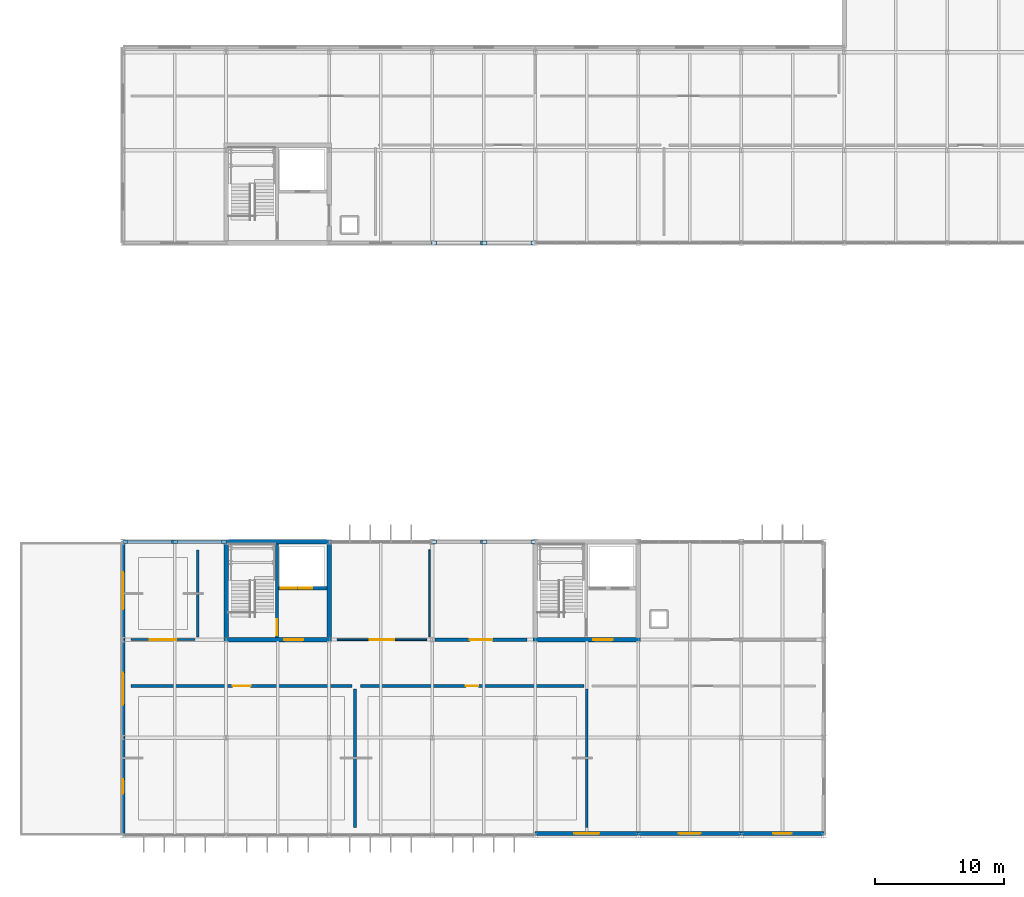
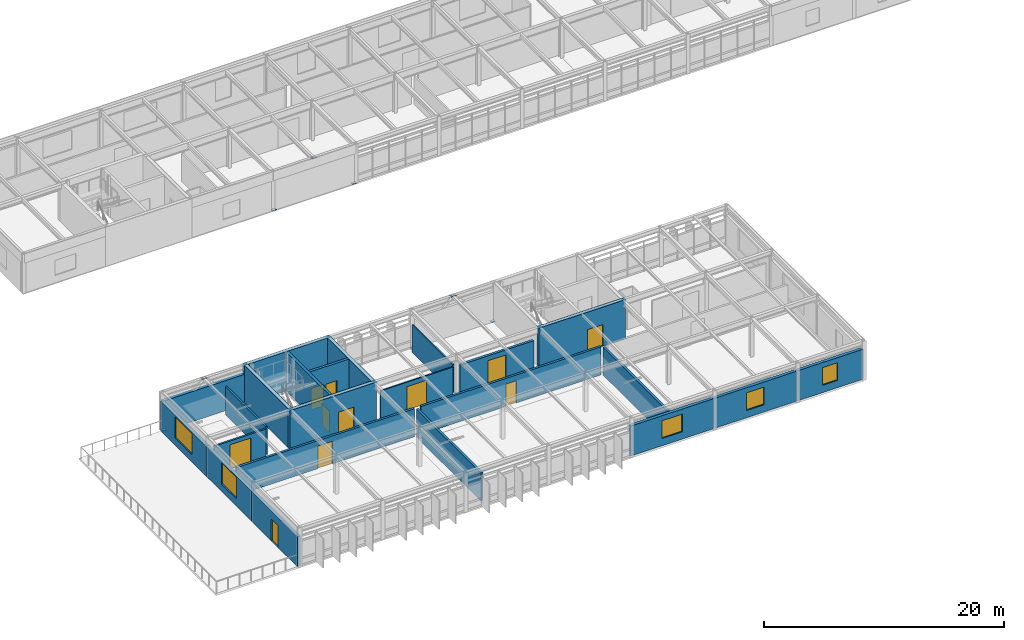
# One storey, part 31 of 45: 23 walls, 12 plates, 11 doors, 5 windows, 16 openings.
"""IFC4 building model written with IfcOpenShell, lengths in metres."""

from ifc_helpers import new_model, si_unit, direction, frame, frame_2d, origin, origin_2d, place, context, subcontext, project, spatial, rectangle, extrude, material, layer, layer_set, type_object, element, fill, save


model = new_model("IFC4")

# Units and contexts
model_context = context("Model", 3, precision=1e-05, world=origin(), true_north=direction((0.0, 1.0)))
body_context = subcontext(model_context, "Body", "Model", "MODEL_VIEW")
ifc_project = project(units=[si_unit("LENGTHUNIT", "METRE"), si_unit("AREAUNIT", "SQUARE_METRE"), si_unit("VOLUMEUNIT", "CUBIC_METRE"), si_unit("PLANEANGLEUNIT", "RADIAN"), si_unit("MASSUNIT", "GRAM", prefix="KILO")], contexts=[model_context])

# Site, building, storey
site_placement = place(None, origin())
site = spatial("IfcSite", under=ifc_project, at=site_placement, CompositionType="ELEMENT")
building_placement = place(site_placement, origin())
building = spatial("IfcBuilding", under=site, at=building_placement, Name="Zulena Civic Courthouse", CompositionType="ELEMENT")
storey_placement = place(building_placement, frame((0.0, 0.0, 29.39990234375)))
storey = spatial("IfcBuildingStorey", under=building, at=storey_placement, Name="L06", CompositionType="ELEMENT", Elevation=29.39990234375)

# Plates
ifc_material_1 = material(Name="Steel ASTM A572 Grade 50", Category="steel")
ifc_layer_1 = layer(ifc_material_1, 0.02197265625)
ifc_layer_set_1 = layer_set([ifc_layer_1], Name="Steel ASTM A572 Grade 50")
plate_type = type_object("IfcPlateType", Name="GussetPlate_380x280x22", PredefinedType="SHEET", material=ifc_layer_set_1)
for number, where, z_axis, x_axis, name in (
    (1, (12.14990234375, 22.800048828125, -0.0009765625), (0.0, 0.0, 1.0), (1.0, 0.0, 0.0), "plate:br:V2:L06:0:0:0"),
    (2, (15.949951171875, 22.800048828125, 3.94921875), (0.0, 0.0, 1.0), (1.0, 0.0, 0.0), "plate:br:V2:L06:0:0:1"),
    (3, (19.85009765625, 22.800048828125, -0.0009765625), (0.0, 0.0, 1.0), (1.0, 0.0, 0.0), "plate:br:V2:L06:0:1:0"),
    (4, (16.050048828125, 22.800048828125, 3.94921875), (0.0, 0.0, 1.0), (1.0, 0.0, 0.0), "plate:br:V2:L06:0:1:1"),
    (5, (36.14990234375, 22.800048828125, -0.0009765625), (0.0, 0.0, 1.0), (1.0, 0.0, 0.0), "plate:br:V2:L06:1:0:0"),
    (6, (39.949951171875, 22.800048828125, 3.94921875), (0.0, 0.0, 1.0), (1.0, 0.0, 0.0), "plate:br:V2:L06:1:0:1"),
    (7, (43.85009765625, 22.800048828125, -0.0009765625), (0.0, 0.0, 1.0), (1.0, 0.0, 0.0), "plate:br:V2:L06:1:1:0"),
    (8, (40.050048828125, 22.800048828125, 3.94921875), (0.0, 0.0, 1.0), (1.0, 0.0, 0.0), "plate:br:V2:L06:1:1:1"),
    (9, (36.14990234375, 46.0, -0.0009765625), (0.0, 0.0, 1.0), (1.0, 0.0, 0.0), "plate:br:V5:L06:5:0:0"),
    (10, (39.949951171875, 46.0, 3.94921875), (0.0, 0.0, 1.0), (1.0, 0.0, 0.0), "plate:br:V5:L06:5:0:1"),
    (11, (43.85009765625, 46.0, -0.0009765625), (0.0, 0.0, 1.0), (1.0, 0.0, 0.0), "plate:br:V5:L06:5:1:0"),
    (12, (40.050048828125, 46.0, 3.94921875), (0.0, 0.0, 1.0), (1.0, 0.0, 0.0), "plate:br:V5:L06:5:1:1"),
):
    element("IfcPlate", number, at=place(storey_placement, frame(where, z_axis=z_axis, x_axis=x_axis)), inside=storey, type_object=plate_type, Name=name, PredefinedType="SHEET", context=body_context, shape_type="SweptSolid", body=[
        extrude(rectangle(XDim=0.3798828125, YDim=0.280029296875, at=origin_2d()), origin(), (0.0, 0.0, 1.0), 0.02197265625),
    ])

# Wall, opening, door
ifc_material_2 = material(Name="Concrete C40/50", Category="concrete")
ifc_layer_2 = layer(ifc_material_2, 0.25)
ifc_layer_set_2 = layer_set([ifc_layer_2], Name="Concrete C40/50")
wall_type_1 = type_object("IfcWallType", Name="CoreShearWall_RC250", PredefinedType="SHEAR", material=ifc_layer_set_2)
wall_1_placement = place(storey_placement, frame((23.949951171875, 15.375, 0.0), z_axis=(0.0, 0.0, 1.0), x_axis=(0.0, 1.0, 0.0)))
wall_1 = element("IfcWall", 13, at=wall_1_placement, inside=storey, type_object=wall_type_1, Name="cwall:K2A:L06:DIV", PredefinedType="SHEAR", context=body_context, shape_type="SweptSolid", body=[
    extrude(rectangle(XDim=7.25, YDim=0.25, at=frame_2d((3.625, 0.0))), origin(), (0.0, 0.0, 1.0), 3.989990234375),
])
opening_1_placement = place(wall_1_placement, frame((0.179931640625, 0.0, 0.0)))
opening_1 = element("IfcOpeningElement", 14, at=opening_1_placement, cuts=wall_1, Name="Opening ID06", PredefinedType="OPENING", context=body_context, shape_type="SweptSolid", body=[
    extrude(rectangle(XDim=1.25, YDim=2.199951171875, at=frame_2d((0.625, 1.10009765625))), frame((0.0, 0.135009765625, 0.0), z_axis=(0.0, -1.0, 0.0), x_axis=(1.0, 0.0, 0.0)), (0.0, 0.0, 1.0), 0.27001953125),
])
ifc_material_3 = material(Name="Fire-rated galvanised steel ASTM A653 Grade 50", Category="steel")
door_type_1 = type_object("IfcDoorType", Name="IntDoor_Stair_1250x2200", OperationType="NOTDEFINED", PredefinedType="DOOR", material=ifc_material_3)
door_1_placement = place(opening_1_placement, origin())
door_1 = element("IfcDoor", 15, at=door_1_placement, inside=storey, type_object=door_type_1, Name="door:stair:K2A:L06", OperationType="SINGLE_SWING_LEFT", OverallHeight=2.199951171875, OverallWidth=1.25, PredefinedType="DOOR", context=body_context, shape_type="SweptSolid", body=[
    extrude(rectangle(XDim=1.25, YDim=2.199951171875, at=frame_2d((0.625, 1.10009765625))), frame((0.0, 0.02490234375, 0.0), z_axis=(0.0, -1.0, 0.0), x_axis=(1.0, 0.0, 0.0)), (0.0, 0.0, 1.0), 0.050048828125),
])
fill(opening_1, door_1)

# Wall, openings, doors
wall_2_placement = place(storey_placement, frame((24.074951171875, 19.199951171875, 0.0), z_axis=(0.0, 0.0, 1.0), x_axis=(1.0, 0.0, 0.0)))
wall_2 = element("IfcWall", 16, at=wall_2_placement, inside=storey, type_object=wall_type_1, Name="cwall:K2A:L06:SHF", PredefinedType="SHEAR", context=body_context, shape_type="SweptSolid", body=[
    extrude(rectangle(XDim=3.75, YDim=0.25, at=frame_2d((1.875, 0.0))), origin(), (0.0, 0.0, 1.0), 3.989990234375),
])
opening_2_placement = place(wall_2_placement, frame((0.179931640625, 0.0, 0.0)))
opening_2 = element("IfcOpeningElement", 17, at=opening_2_placement, cuts=wall_2, Name="Opening LD01", PredefinedType="OPENING", context=body_context, shape_type="SweptSolid", body=[
    extrude(rectangle(XDim=1.199951171875, YDim=2.199951171875, at=frame_2d((0.60009765625, 1.10009765625))), frame((0.0, 0.135009765625, 0.0), z_axis=(0.0, -1.0, 0.0), x_axis=(1.0, 0.0, 0.0)), (0.0, 0.0, 1.0), 0.27001953125),
])
opening_3_placement = place(wall_2_placement, frame((1.550048828125, 0.0, 0.0)))
opening_3 = element("IfcOpeningElement", 18, at=opening_3_placement, cuts=wall_2, Name="Opening LD03", PredefinedType="OPENING", context=body_context, shape_type="SweptSolid", body=[
    extrude(rectangle(XDim=1.050048828125, YDim=2.199951171875, at=frame_2d((0.52490234375, 1.10009765625))), frame((0.0, 0.135009765625, 0.0), z_axis=(0.0, -1.0, 0.0), x_axis=(1.0, 0.0, 0.0)), (0.0, 0.0, 1.0), 0.27001953125),
])
door_type_2 = type_object("IfcDoorType", Name="LiftLandingDoor_FF_1200x2200", OperationType="SLIDING_TO_LEFT", PredefinedType="DOOR", material=ifc_material_3)
door_2_placement = place(opening_2_placement, origin())
door_2 = element("IfcDoor", 19, at=door_2_placement, inside=storey, type_object=door_type_2, Name="door:ld:FL-01:L06", OperationType="SLIDING_TO_LEFT", OverallHeight=2.199951171875, OverallWidth=1.199951171875, PredefinedType="DOOR", context=body_context, shape_type="SweptSolid", body=[
    extrude(rectangle(XDim=1.199951171875, YDim=2.199951171875, at=frame_2d((0.60009765625, 1.10009765625))), frame((0.0, 0.02490234375, 0.0), z_axis=(0.0, -1.0, 0.0), x_axis=(1.0, 0.0, 0.0)), (0.0, 0.0, 1.0), 0.050048828125),
])
fill(opening_2, door_2)
door_type_3 = type_object("IfcDoorType", Name="LiftLandingDoor_Jud_1050x2200", OperationType="SLIDING_TO_RIGHT", PredefinedType="DOOR", material=ifc_material_3)
door_3_placement = place(opening_3_placement, origin())
door_3 = element("IfcDoor", 20, at=door_3_placement, inside=storey, type_object=door_type_3, Name="door:ld:JL-01:L06", OperationType="SLIDING_TO_RIGHT", OverallHeight=2.199951171875, OverallWidth=1.050048828125, PredefinedType="DOOR", context=body_context, shape_type="SweptSolid", body=[
    extrude(rectangle(XDim=1.050048828125, YDim=2.199951171875, at=frame_2d((0.52490234375, 1.10009765625))), frame((0.0, 0.02490234375, 0.0), z_axis=(0.0, -1.0, 0.0), x_axis=(1.0, 0.0, 0.0)), (0.0, 0.0, 1.0), 0.050048828125),
])
fill(opening_3, door_3)

# Wall, opening, door
ifc_layer_3 = layer(ifc_material_2, 0.35009765625)
ifc_layer_set_3 = layer_set([ifc_layer_3], Name="Concrete C40/50")
wall_type_2 = type_object("IfcWallType", Name="CoreShearWall_RC350", PredefinedType="SHEAR", material=ifc_layer_set_3)
wall_3_placement = place(storey_placement, frame((19.824951171875, 15.199951171875, 0.0), z_axis=(0.0, 0.0, 1.0), x_axis=(1.0, 0.0, 0.0)))
wall_3 = element("IfcWall", 21, at=wall_3_placement, inside=storey, type_object=wall_type_2, Name="cwall:K2A:L06:S", PredefinedType="SHEAR", context=body_context, shape_type="SweptSolid", body=[
    extrude(rectangle(XDim=8.35009765625, YDim=0.35009765625, at=frame_2d((4.175048828125, 0.0))), origin(), (0.0, 0.0, 1.0), 3.989990234375),
])
opening_4_placement = place(wall_3_placement, frame((4.68505859375, 0.0, 0.0)))
opening_4 = element("IfcOpeningElement", 22, at=opening_4_placement, cuts=wall_3, Name="Opening ID05", PredefinedType="OPENING", context=body_context, shape_type="SweptSolid", body=[
    extrude(rectangle(XDim=1.5, YDim=2.199951171875, at=frame_2d((0.75, 1.10009765625))), frame((0.0, 0.18505859375, 0.0), z_axis=(0.0, -1.0, 0.0), x_axis=(1.0, 0.0, 0.0)), (0.0, 0.0, 1.0), 0.3701171875),
])
door_type_4 = type_object("IfcDoorType", Name="IntDoor_FFLobby_1500x2200", OperationType="DOUBLE_DOOR_SINGLE_SWING", PredefinedType="DOOR", material=ifc_material_3)
door_4_placement = place(opening_4_placement, origin())
door_4 = element("IfcDoor", 23, at=door_4_placement, inside=storey, type_object=door_type_4, Name="door:corelob:K2A:L06", OperationType="DOUBLE_DOOR_SINGLE_SWING", OverallHeight=2.199951171875, OverallWidth=1.5, PredefinedType="DOOR", context=body_context, shape_type="SweptSolid", body=[
    extrude(rectangle(XDim=1.5, YDim=2.199951171875, at=frame_2d((0.75, 1.10009765625))), frame((0.0, 0.02490234375, 0.0), z_axis=(0.0, -1.0, 0.0), x_axis=(1.0, 0.0, 0.0)), (0.0, 0.0, 1.0), 0.050048828125),
])
fill(opening_4, door_4)

# Walls
wall_4_placement = place(storey_placement, frame((19.824951171875, 22.800048828125, 0.0), z_axis=(0.0, 0.0, 1.0), x_axis=(1.0, 0.0, 0.0)))
element("IfcWall", 24, at=wall_4_placement, inside=storey, type_object=wall_type_2, Name="cwall:K2A:L06:N", PredefinedType="SHEAR", context=body_context, shape_type="SweptSolid", body=[
    extrude(rectangle(XDim=8.35009765625, YDim=0.35009765625, at=frame_2d((4.175048828125, 0.0))), origin(), (0.0, 0.0, 1.0), 3.989990234375),
])
for number, where, z_axis, x_axis, name in (
    (25, (20.0, 15.375, 0.0), (0.0, 0.0, 1.0), (0.0, 1.0, 0.0), "cwall:K2A:L06:W"),
    (26, (28.0, 15.375, 0.0), (0.0, 0.0, 1.0), (0.0, 1.0, 0.0), "cwall:K2A:L06:E"),
):
    element("IfcWall", number, at=place(storey_placement, frame(where, z_axis=z_axis, x_axis=x_axis)), inside=storey, type_object=wall_type_2, Name=name, PredefinedType="SHEAR", context=body_context, shape_type="SweptSolid", body=[
        extrude(rectangle(XDim=7.25, YDim=0.35009765625, at=frame_2d((3.625, 0.0))), origin(), (0.0, 0.0, 1.0), 3.989990234375),
    ])

# Wall, opening, door
wall_5_placement = place(storey_placement, frame((43.824951171875, 15.199951171875, 0.0), z_axis=(0.0, 0.0, 1.0), x_axis=(1.0, 0.0, 0.0)))
wall_5 = element("IfcWall", 27, at=wall_5_placement, inside=storey, type_object=wall_type_2, Name="cwall:K2B:L06:S", PredefinedType="SHEAR", context=body_context, shape_type="SweptSolid", body=[
    extrude(rectangle(XDim=8.35009765625, YDim=0.35009765625, at=frame_2d((4.175048828125, 0.0))), origin(), (0.0, 0.0, 1.0), 3.989990234375),
])
opening_5_placement = place(wall_5_placement, frame((4.68505859375, 0.0, 0.0)))
opening_5 = element("IfcOpeningElement", 28, at=opening_5_placement, cuts=wall_5, Name="Opening ID05", PredefinedType="OPENING", context=body_context, shape_type="SweptSolid", body=[
    extrude(rectangle(XDim=1.5, YDim=2.199951171875, at=frame_2d((0.75, 1.10009765625))), frame((0.0, 0.18505859375, 0.0), z_axis=(0.0, -1.0, 0.0), x_axis=(1.0, 0.0, 0.0)), (0.0, 0.0, 1.0), 0.3701171875),
])
door_5_placement = place(opening_5_placement, origin())
door_5 = element("IfcDoor", 29, at=door_5_placement, inside=storey, type_object=door_type_4, Name="door:corelob:K2B:L06", OperationType="DOUBLE_DOOR_SINGLE_SWING", OverallHeight=2.199951171875, OverallWidth=1.5, PredefinedType="DOOR", context=body_context, shape_type="SweptSolid", body=[
    extrude(rectangle(XDim=1.5, YDim=2.199951171875, at=frame_2d((0.75, 1.10009765625))), frame((0.0, 0.02490234375, 0.0), z_axis=(0.0, -1.0, 0.0), x_axis=(1.0, 0.0, 0.0)), (0.0, 0.0, 1.0), 0.050048828125),
])
fill(opening_5, door_5)

ifc_material_4 = material(Name="White architectural precast concrete C40/50", Category="concrete")
ifc_layer_4 = layer(ifc_material_4, 0.300048828125)
ifc_layer_set_4 = layer_set([ifc_layer_4], Name="White architectural precast concrete C40/50")
wall_type_3 = type_object("IfcWallType", Name="ExtWall_WhitePrecast_300", PredefinedType="STANDARD", material=ifc_layer_set_4)
wall_6_placement = place(storey_placement, frame((12.0, -0.02001953125, 0.0), z_axis=(0.0, 0.0, 1.0), x_axis=(0.0, 1.0, 0.0)))
wall_6 = element("IfcWall", 30, at=wall_6_placement, inside=storey, type_object=wall_type_3, Name="ewall:V2:L06:0:0", PredefinedType="STANDARD", context=body_context, shape_type="SweptSolid", body=[
    extrude(rectangle(XDim=7.64013671875, YDim=0.300048828125, at=frame_2d((3.820068359375, 0.0))), origin(), (0.0, 0.0, 1.0), 3.06005859375),
])
opening_6_placement = place(wall_6_placement, frame((3.27001953125, 0.0, 0.0)))
opening_6 = element("IfcOpeningElement", 31, at=opening_6_placement, cuts=wall_6, Name="Opening TD01", PredefinedType="OPENING", context=body_context, shape_type="SweptSolid", body=[
    extrude(rectangle(XDim=1.10009765625, YDim=2.199951171875, at=frame_2d((0.550048828125, 1.10009765625))), frame((0.0, 0.159912109375, 0.0), z_axis=(0.0, -1.0, 0.0), x_axis=(1.0, 0.0, 0.0)), (0.0, 0.0, 1.0), 0.320068359375),
])
ifc_material_5 = material(Name="Galvanised architectural steel ASTM A653 Grade 50", Category="steel")
door_type_5 = type_object("IfcDoorType", Name="ExtDoor_Terrace_1100x2200", OperationType="NOTDEFINED", PredefinedType="DOOR", material=ifc_material_5)
door_6_placement = place(opening_6_placement, origin())
door_6 = element("IfcDoor", 32, at=door_6_placement, inside=storey, type_object=door_type_5, Name="door:terrace:TR-V2-L06", OperationType="SINGLE_SWING_RIGHT", OverallHeight=2.199951171875, OverallWidth=1.10009765625, PredefinedType="DOOR", context=body_context, shape_type="SweptSolid", body=[
    extrude(rectangle(XDim=1.10009765625, YDim=2.199951171875, at=frame_2d((0.550048828125, 1.10009765625))), frame((0.0, 0.02490234375, 0.0), z_axis=(0.0, -1.0, 0.0), x_axis=(1.0, 0.0, 0.0)), (0.0, 0.0, 1.0), 0.050048828125),
])
fill(opening_6, door_6)

# Wall, opening, window
wall_7_placement = place(storey_placement, frame((12.0, 7.580078125, 0.0), z_axis=(0.0, 0.0, 1.0), x_axis=(0.0, 1.0, 0.0)))
wall_7 = element("IfcWall", 33, at=wall_7_placement, inside=storey, type_object=wall_type_3, Name="ewall:V2:L06:0:1", PredefinedType="STANDARD", context=body_context, shape_type="SweptSolid", body=[
    extrude(rectangle(XDim=7.639892578125, YDim=0.300048828125, at=frame_2d((3.81982421875, 0.0))), origin(), (0.0, 0.0, 1.0), 3.06005859375),
])
opening_7_placement = place(wall_7_placement, frame((2.570068359375, 0.0, 0.75)))
opening_7 = element("IfcOpeningElement", 34, at=opening_7_placement, cuts=wall_7, Name="Opening WN12", PredefinedType="OPENING", context=body_context, shape_type="SweptSolid", body=[
    extrude(rectangle(XDim=2.5, YDim=2.14990234375, at=frame_2d((1.25, 1.074951171875))), frame((0.0, 0.159912109375, 0.0), z_axis=(0.0, -1.0, 0.0), x_axis=(1.0, 0.0, 0.0)), (0.0, 0.0, 1.0), 0.320068359375),
])
ifc_material_6 = material(Name="Double-silver low-E laminated solar-control glass", Category="glass")
window_type_1 = type_object("IfcWindowType", Name="Win_2500x2150", PartitioningType="DOUBLE_PANEL_VERTICAL", PredefinedType="WINDOW", material=ifc_material_6)
window_1_placement = place(opening_7_placement, origin())
window_1 = element("IfcWindow", 35, at=window_1_placement, inside=storey, type_object=window_type_1, Name="win:V2:L06:0:1", OverallHeight=2.14990234375, OverallWidth=2.5, PartitioningType="SINGLE_PANEL", PredefinedType="WINDOW", context=body_context, shape_type="SweptSolid", body=[
    extrude(rectangle(XDim=2.5, YDim=2.14990234375, at=frame_2d((1.25, 1.074951171875))), frame((0.0, 0.030029296875, 0.0), z_axis=(0.0, -1.0, 0.0), x_axis=(1.0, 0.0, 0.0)), (0.0, 0.0, 1.0), 0.06005859375),
])
fill(opening_7, window_1)

wall_8_placement = place(storey_placement, frame((12.0, 15.179931640625, 0.0), z_axis=(0.0, 0.0, 1.0), x_axis=(0.0, 1.0, 0.0)))
wall_8 = element("IfcWall", 36, at=wall_8_placement, inside=storey, type_object=wall_type_3, Name="ewall:V2:L06:0:2", PredefinedType="STANDARD", context=body_context, shape_type="SweptSolid", body=[
    extrude(rectangle(XDim=7.64013671875, YDim=0.300048828125, at=frame_2d((3.820068359375, 0.0))), origin(), (0.0, 0.0, 1.0), 3.06005859375),
])
opening_8_placement = place(wall_8_placement, frame((2.3701171875, 0.0, 0.75)))
opening_8 = element("IfcOpeningElement", 37, at=opening_8_placement, cuts=wall_8, Name="Opening WN13", PredefinedType="OPENING", context=body_context, shape_type="SweptSolid", body=[
    extrude(rectangle(XDim=2.89990234375, YDim=2.14990234375, at=frame_2d((1.449951171875, 1.074951171875))), frame((0.0, 0.159912109375, 0.0), z_axis=(0.0, -1.0, 0.0), x_axis=(1.0, 0.0, 0.0)), (0.0, 0.0, 1.0), 0.320068359375),
])
window_type_2 = type_object("IfcWindowType", Name="Win_2900x2150", PartitioningType="DOUBLE_PANEL_VERTICAL", PredefinedType="WINDOW", material=ifc_material_6)
window_2_placement = place(opening_8_placement, origin())
window_2 = element("IfcWindow", 38, at=window_2_placement, inside=storey, type_object=window_type_2, Name="win:V2:L06:0:2", OverallHeight=2.14990234375, OverallWidth=2.89990234375, PartitioningType="SINGLE_PANEL", PredefinedType="WINDOW", context=body_context, shape_type="SweptSolid", body=[
    extrude(rectangle(XDim=2.89990234375, YDim=2.14990234375, at=frame_2d((1.449951171875, 1.074951171875))), frame((0.0, 0.030029296875, 0.0), z_axis=(0.0, -1.0, 0.0), x_axis=(1.0, 0.0, 0.0)), (0.0, 0.0, 1.0), 0.06005859375),
])
fill(opening_8, window_2)

# Wall
wall_9_placement = place(storey_placement, frame((11.97998046875, 22.800048828125, 0.0), z_axis=(0.0, 0.0, 1.0), x_axis=(1.0, 0.0, 0.0)))
element("IfcWall", 39, at=wall_9_placement, inside=storey, type_object=wall_type_3, Name="ewall:V2:L06:1:0", PredefinedType="STANDARD", context=body_context, shape_type="SweptSolid", body=[
    extrude(rectangle(XDim=8.0400390625, YDim=0.300048828125, at=frame_2d((4.02001953125, 0.0))), origin(), (0.0, 0.0, 1.0), 3.06005859375),
])

# Wall, opening, window
wall_10_placement = place(storey_placement, frame((66.419921875, 0.159912109375, 0.0), z_axis=(0.0, 0.0, 1.0), x_axis=(-1.0, 0.0, 0.0)))
wall_10 = element("IfcWall", 40, at=wall_10_placement, inside=storey, type_object=wall_type_3, Name="ewall:V2:L06:3:0", PredefinedType="STANDARD", context=body_context, shape_type="SweptSolid", body=[
    extrude(rectangle(XDim=6.43994140625, YDim=0.300048828125, at=frame_2d((3.219970703125, 0.0))), origin(), (0.0, 0.0, 1.0), 3.06005859375),
])
opening_9_placement = place(wall_10_placement, frame((2.4951171875, 0.0, 0.75)))
opening_9 = element("IfcOpeningElement", 41, at=opening_9_placement, cuts=wall_10, Name="Opening WN17", PredefinedType="OPENING", context=body_context, shape_type="SweptSolid", body=[
    extrude(rectangle(XDim=1.449951171875, YDim=1.800048828125, at=frame_2d((0.72509765625, 0.89990234375))), frame((0.0, 0.159912109375, 0.0), z_axis=(0.0, -1.0, 0.0), x_axis=(1.0, 0.0, 0.0)), (0.0, 0.0, 1.0), 0.320068359375),
])
window_type_3 = type_object("IfcWindowType", Name="Win_1450x1800", PartitioningType="SINGLE_PANEL", PredefinedType="WINDOW", material=ifc_material_6)
window_3_placement = place(opening_9_placement, origin())
window_3 = element("IfcWindow", 42, at=window_3_placement, inside=storey, type_object=window_type_3, Name="win:V2:L06:3:0", OverallHeight=1.800048828125, OverallWidth=1.449951171875, PartitioningType="SINGLE_PANEL", PredefinedType="WINDOW", context=body_context, shape_type="SweptSolid", body=[
    extrude(rectangle(XDim=1.449951171875, YDim=1.800048828125, at=frame_2d((0.72509765625, 0.89990234375))), frame((0.0, 0.030029296875, 0.0), z_axis=(0.0, -1.0, 0.0), x_axis=(1.0, 0.0, 0.0)), (0.0, 0.0, 1.0), 0.06005859375),
])
fill(opening_9, window_3)

wall_11_placement = place(storey_placement, frame((60.02001953125, 0.159912109375, 0.0), z_axis=(0.0, 0.0, 1.0), x_axis=(-1.0, 0.0, 0.0)))
wall_11 = element("IfcWall", 43, at=wall_11_placement, inside=storey, type_object=wall_type_3, Name="ewall:V2:L06:3:1", PredefinedType="STANDARD", context=body_context, shape_type="SweptSolid", body=[
    extrude(rectangle(XDim=8.0400390625, YDim=0.300048828125, at=frame_2d((4.02001953125, 0.0))), origin(), (0.0, 0.0, 1.0), 3.06005859375),
])
opening_10_placement = place(wall_11_placement, frame((3.169921875, 0.0, 0.75)))
opening_10 = element("IfcOpeningElement", 44, at=opening_10_placement, cuts=wall_11, Name="Opening WN18", PredefinedType="OPENING", context=body_context, shape_type="SweptSolid", body=[
    extrude(rectangle(XDim=1.699951171875, YDim=1.800048828125, at=frame_2d((0.85009765625, 0.89990234375))), frame((0.0, 0.159912109375, 0.0), z_axis=(0.0, -1.0, 0.0), x_axis=(1.0, 0.0, 0.0)), (0.0, 0.0, 1.0), 0.320068359375),
])
window_type_4 = type_object("IfcWindowType", Name="Win_1700x1800", PartitioningType="SINGLE_PANEL", PredefinedType="WINDOW", material=ifc_material_6)
window_4_placement = place(opening_10_placement, origin())
window_4 = element("IfcWindow", 45, at=window_4_placement, inside=storey, type_object=window_type_4, Name="win:V2:L06:3:1", OverallHeight=1.800048828125, OverallWidth=1.699951171875, PartitioningType="SINGLE_PANEL", PredefinedType="WINDOW", context=body_context, shape_type="SweptSolid", body=[
    extrude(rectangle(XDim=1.699951171875, YDim=1.800048828125, at=frame_2d((0.85009765625, 0.89990234375))), frame((0.0, 0.030029296875, 0.0), z_axis=(0.0, -1.0, 0.0), x_axis=(1.0, 0.0, 0.0)), (0.0, 0.0, 1.0), 0.06005859375),
])
fill(opening_10, window_4)

wall_12_placement = place(storey_placement, frame((52.02001953125, 0.159912109375, 0.0), z_axis=(0.0, 0.0, 1.0), x_axis=(-1.0, 0.0, 0.0)))
wall_12 = element("IfcWall", 46, at=wall_12_placement, inside=storey, type_object=wall_type_3, Name="ewall:V2:L06:3:2", PredefinedType="STANDARD", context=body_context, shape_type="SweptSolid", body=[
    extrude(rectangle(XDim=8.0400390625, YDim=0.300048828125, at=frame_2d((4.02001953125, 0.0))), origin(), (0.0, 0.0, 1.0), 3.06005859375),
])
opening_11_placement = place(wall_12_placement, frame((3.044921875, 0.0, 0.75)))
opening_11 = element("IfcOpeningElement", 47, at=opening_11_placement, cuts=wall_12, Name="Opening WN19", PredefinedType="OPENING", context=body_context, shape_type="SweptSolid", body=[
    extrude(rectangle(XDim=1.949951171875, YDim=1.800048828125, at=frame_2d((0.97509765625, 0.89990234375))), frame((0.0, 0.159912109375, 0.0), z_axis=(0.0, -1.0, 0.0), x_axis=(1.0, 0.0, 0.0)), (0.0, 0.0, 1.0), 0.320068359375),
])
window_type_5 = type_object("IfcWindowType", Name="Win_1950x1800", PartitioningType="DOUBLE_PANEL_VERTICAL", PredefinedType="WINDOW", material=ifc_material_6)
window_5_placement = place(opening_11_placement, origin())
window_5 = element("IfcWindow", 48, at=window_5_placement, inside=storey, type_object=window_type_5, Name="win:V2:L06:3:2", OverallHeight=1.800048828125, OverallWidth=1.949951171875, PartitioningType="SINGLE_PANEL", PredefinedType="WINDOW", context=body_context, shape_type="SweptSolid", body=[
    extrude(rectangle(XDim=1.949951171875, YDim=1.800048828125, at=frame_2d((0.97509765625, 0.89990234375))), frame((0.0, 0.030029296875, 0.0), z_axis=(0.0, -1.0, 0.0), x_axis=(1.0, 0.0, 0.0)), (0.0, 0.0, 1.0), 0.06005859375),
])
fill(opening_11, window_5)

# Wall, opening, door
ifc_material_7 = material(Name="Acoustic fire-rated gypsum board assembly", Category="masonry")
ifc_layer_5 = layer(ifc_material_7, 0.215087890625)
ifc_layer_set_5 = layer_set([ifc_layer_5], Name="Acoustic fire-rated gypsum board assembly")
wall_type_4 = type_object("IfcWallType", Name="PartWall_CourtAcoustic_215", PredefinedType="PARTITIONING", material=ifc_layer_set_5)
wall_13_placement = place(storey_placement, frame((12.6201171875, 11.60009765625, 0.0), z_axis=(0.0, 0.0, 1.0), x_axis=(1.0, 0.0, 0.0)))
wall_13 = element("IfcWall", 49, at=wall_13_placement, inside=storey, type_object=wall_type_4, Name="pwall:L06:341:0", PredefinedType="PARTITIONING", context=body_context, shape_type="SweptSolid", body=[
    extrude(rectangle(XDim=17.159912109375, YDim=0.215087890625, at=frame_2d((8.580078125, 0.0))), origin(), (0.0, 0.0, 1.0), 2.85009765625),
])
opening_12_placement = place(wall_13_placement, frame((7.8798828125, 0.0, 0.0)))
opening_12 = element("IfcOpeningElement", 50, at=opening_12_placement, cuts=wall_13, Name="Opening ID28", PredefinedType="OPENING", context=body_context, shape_type="SweptSolid", body=[
    extrude(rectangle(XDim=1.39990234375, YDim=2.300048828125, at=frame_2d((0.699951171875, 1.14990234375))), frame((0.0, 0.117431640625, 0.0), z_axis=(0.0, -1.0, 0.0), x_axis=(1.0, 0.0, 0.0)), (0.0, 0.0, 1.0), 0.235107421875),
])
ifc_material_8 = material(Name="Solid-core acoustic hardwood timber", Category="wood")
door_type_6 = type_object("IfcDoorType", Name="IntDoor_Cafe_1400x2300", OperationType="DOUBLE_DOOR_SINGLE_SWING", PredefinedType="DOOR", material=ifc_material_8)
door_7_placement = place(opening_12_placement, origin())
door_7 = element("IfcDoor", 51, at=door_7_placement, inside=storey, type_object=door_type_6, Name="door:rm:L06:341", OperationType="DOUBLE_DOOR_SINGLE_SWING", OverallHeight=2.300048828125, OverallWidth=1.39990234375, PredefinedType="DOOR", context=body_context, shape_type="SweptSolid", body=[
    extrude(rectangle(XDim=1.39990234375, YDim=2.300048828125, at=frame_2d((0.699951171875, 1.14990234375))), frame((0.0, 0.02490234375, 0.0), z_axis=(0.0, -1.0, 0.0), x_axis=(1.0, 0.0, 0.0)), (0.0, 0.0, 1.0), 0.050048828125),
])
fill(opening_12, door_7)

# Wall
wall_14_placement = place(storey_placement, frame((30.0, 0.6201171875, 0.0), z_axis=(0.0, 0.0, 1.0), x_axis=(0.0, 1.0, 0.0)))
element("IfcWall", 52, at=wall_14_placement, inside=storey, type_object=wall_type_4, Name="pwall:L06:341:1", PredefinedType="PARTITIONING", context=body_context, shape_type="SweptSolid", body=[
    extrude(rectangle(XDim=10.759765625, YDim=0.215087890625, at=frame_2d((5.3798828125, 0.0))), origin(), (0.0, 0.0, 1.0), 2.85009765625),
])

# Wall, opening, door
wall_15_placement = place(storey_placement, frame((30.419921875, 11.60009765625, 0.0), z_axis=(0.0, 0.0, 1.0), x_axis=(1.0, 0.0, 0.0)))
wall_15 = element("IfcWall", 53, at=wall_15_placement, inside=storey, type_object=wall_type_4, Name="pwall:L06:342:0", PredefinedType="PARTITIONING", context=body_context, shape_type="SweptSolid", body=[
    extrude(rectangle(XDim=17.360107421875, YDim=0.215087890625, at=frame_2d((8.68017578125, 0.0))), origin(), (0.0, 0.0, 1.0), 2.85009765625),
])
opening_13_placement = place(wall_15_placement, frame((8.18994140625, 0.0, 0.0)))
opening_13 = element("IfcOpeningElement", 54, at=opening_13_placement, cuts=wall_15, Name="Opening ID29", PredefinedType="OPENING", context=body_context, shape_type="SweptSolid", body=[
    extrude(rectangle(XDim=0.97998046875, YDim=2.25, at=frame_2d((0.489990234375, 1.125))), frame((0.0, 0.117431640625, 0.0), z_axis=(0.0, -1.0, 0.0), x_axis=(1.0, 0.0, 0.0)), (0.0, 0.0, 1.0), 0.235107421875),
])
door_type_7 = type_object("IfcDoorType", Name="IntDoor_Clerks_980x2250", OperationType="NOTDEFINED", PredefinedType="DOOR", material=ifc_material_8)
door_8_placement = place(opening_13_placement, origin())
door_8 = element("IfcDoor", 55, at=door_8_placement, inside=storey, type_object=door_type_7, Name="door:rm:L06:342", OperationType="SINGLE_SWING_RIGHT", OverallHeight=2.25, OverallWidth=0.97998046875, PredefinedType="DOOR", context=body_context, shape_type="SweptSolid", body=[
    extrude(rectangle(XDim=0.97998046875, YDim=2.25, at=frame_2d((0.489990234375, 1.125))), frame((0.0, 0.02490234375, 0.0), z_axis=(0.0, -1.0, 0.0), x_axis=(1.0, 0.0, 0.0)), (0.0, 0.0, 1.0), 0.050048828125),
])
fill(opening_13, door_8)

# Wall
wall_16_placement = place(storey_placement, frame((48.0, 0.6201171875, 0.0), z_axis=(0.0, 0.0, 1.0), x_axis=(0.0, 1.0, 0.0)))
element("IfcWall", 56, at=wall_16_placement, inside=storey, type_object=wall_type_4, Name="pwall:L06:342:1", PredefinedType="PARTITIONING", context=body_context, shape_type="SweptSolid", body=[
    extrude(rectangle(XDim=10.759765625, YDim=0.215087890625, at=frame_2d((5.3798828125, 0.0))), origin(), (0.0, 0.0, 1.0), 2.85009765625),
])

# Wall, opening, door
ifc_material_9 = material(Name="Insulated blockwork masonry ASTM C90", Category="masonry")
ifc_layer_6 = layer(ifc_material_9, 0.239990234375)
ifc_layer_set_6 = layer_set([ifc_layer_6], Name="Insulated blockwork masonry ASTM C90")
wall_type_5 = type_object("IfcWallType", Name="PartWall_Custody_240", PredefinedType="PARTITIONING", material=ifc_layer_set_6)
wall_17_placement = place(storey_placement, frame((36.219970703125, 15.199951171875, 0.0), z_axis=(0.0, 0.0, 1.0), x_axis=(1.0, 0.0, 0.0)))
wall_17 = element("IfcWall", 57, at=wall_17_placement, inside=storey, type_object=wall_type_5, Name="pwall:L06:346:0", PredefinedType="PARTITIONING", context=body_context, shape_type="SweptSolid", body=[
    extrude(rectangle(XDim=7.159912109375, YDim=0.239990234375, at=frame_2d((3.580078125, 0.0))), origin(), (0.0, 0.0, 1.0), 2.85009765625),
])
opening_14_placement = place(wall_17_placement, frame((2.705078125, 0.0, 0.0)))
opening_14 = element("IfcOpeningElement", 58, at=opening_14_placement, cuts=wall_17, Name="Opening ID03", PredefinedType="OPENING", context=body_context, shape_type="SweptSolid", body=[
    extrude(rectangle(XDim=1.75, YDim=2.35009765625, at=frame_2d((0.875, 1.175048828125))), frame((0.0, 0.1298828125, 0.0), z_axis=(0.0, -1.0, 0.0), x_axis=(1.0, 0.0, 0.0)), (0.0, 0.0, 1.0), 0.260009765625),
])
door_type_8 = type_object("IfcDoorType", Name="IntDoor_CourtPublic_1750x2350", OperationType="DOUBLE_DOOR_SINGLE_SWING", PredefinedType="DOOR", material=ifc_material_8)
door_9_placement = place(opening_14_placement, origin())
door_9 = element("IfcDoor", 59, at=door_9_placement, inside=storey, type_object=door_type_8, Name="door:rm:L06:346", OperationType="DOUBLE_DOOR_SINGLE_SWING", OverallHeight=2.35009765625, OverallWidth=1.75, PredefinedType="DOOR", context=body_context, shape_type="SweptSolid", body=[
    extrude(rectangle(XDim=1.75, YDim=2.35009765625, at=frame_2d((0.875, 1.175048828125))), frame((0.0, 0.02490234375, 0.0), z_axis=(0.0, -1.0, 0.0), x_axis=(1.0, 0.0, 0.0)), (0.0, 0.0, 1.0), 0.050048828125),
])
fill(opening_14, door_9)

ifc_layer_7 = layer(ifc_material_7, 0.162109375)
ifc_layer_set_7 = layer_set([ifc_layer_7], Name="Acoustic fire-rated gypsum board assembly")
wall_type_6 = type_object("IfcWallType", Name="PartWall_Jury_162", PredefinedType="PARTITIONING", material=ifc_layer_set_7)
wall_18_placement = place(storey_placement, frame((12.6201171875, 15.199951171875, 0.0), z_axis=(0.0, 0.0, 1.0), x_axis=(1.0, 0.0, 0.0)))
wall_18 = element("IfcWall", 60, at=wall_18_placement, inside=storey, type_object=wall_type_6, Name="pwall:L06:344:0", PredefinedType="PARTITIONING", context=body_context, shape_type="SweptSolid", body=[
    extrude(rectangle(XDim=4.9599609375, YDim=0.162109375, at=frame_2d((2.47998046875, 0.0))), origin(), (0.0, 0.0, 1.0), 2.85009765625),
])
opening_15_placement = place(wall_18_placement, frame((1.455078125, 0.0, 0.0)))
opening_15 = element("IfcOpeningElement", 61, at=opening_15_placement, cuts=wall_18, Name="Opening ID01", PredefinedType="OPENING", context=body_context, shape_type="SweptSolid", body=[
    extrude(rectangle(XDim=2.050048828125, YDim=2.449951171875, at=frame_2d((1.02490234375, 1.22509765625))), frame((0.0, 0.091064453125, 0.0), z_axis=(0.0, -1.0, 0.0), x_axis=(1.0, 0.0, 0.0)), (0.0, 0.0, 1.0), 0.18212890625),
])
door_type_9 = type_object("IfcDoorType", Name="IntDoor_Ceremonial_2050x2450", OperationType="DOUBLE_DOOR_SINGLE_SWING", PredefinedType="DOOR", material=ifc_material_8)
door_10_placement = place(opening_15_placement, origin())
door_10 = element("IfcDoor", 62, at=door_10_placement, inside=storey, type_object=door_type_9, Name="door:rm:L06:344", OperationType="DOUBLE_DOOR_SINGLE_SWING", OverallHeight=2.449951171875, OverallWidth=2.050048828125, PredefinedType="DOOR", context=body_context, shape_type="SweptSolid", body=[
    extrude(rectangle(XDim=2.050048828125, YDim=2.449951171875, at=frame_2d((1.02490234375, 1.22509765625))), frame((0.0, 0.02490234375, 0.0), z_axis=(0.0, -1.0, 0.0), x_axis=(1.0, 0.0, 0.0)), (0.0, 0.0, 1.0), 0.050048828125),
])
fill(opening_15, door_10)

# Wall
wall_19_placement = place(storey_placement, frame((17.800048828125, 15.419921875, 0.0), z_axis=(0.0, 0.0, 1.0), x_axis=(0.0, 1.0, 0.0)))
element("IfcWall", 63, at=wall_19_placement, inside=storey, type_object=wall_type_6, Name="pwall:L06:344:1", PredefinedType="PARTITIONING", context=body_context, shape_type="SweptSolid", body=[
    extrude(rectangle(XDim=6.760009765625, YDim=0.162109375, at=frame_2d((3.3798828125, 0.0))), origin(), (0.0, 0.0, 1.0), 2.85009765625),
])

# Wall, opening, door
ifc_layer_8 = layer(ifc_material_9, 0.1279296875)
ifc_layer_set_8 = layer_set([ifc_layer_8], Name="Insulated blockwork masonry ASTM C90")
wall_type_7 = type_object("IfcWallType", Name="PartWall_WetRoom_128", PredefinedType="PARTITIONING", material=ifc_layer_set_8)
wall_20_placement = place(storey_placement, frame((28.6201171875, 15.199951171875, 0.0), z_axis=(0.0, 0.0, 1.0), x_axis=(1.0, 0.0, 0.0)))
wall_20 = element("IfcWall", 64, at=wall_20_placement, inside=storey, type_object=wall_type_7, Name="pwall:L06:345:0", PredefinedType="PARTITIONING", context=body_context, shape_type="SweptSolid", body=[
    extrude(rectangle(XDim=6.9599609375, YDim=0.1279296875, at=frame_2d((3.47998046875, 0.0))), origin(), (0.0, 0.0, 1.0), 2.85009765625),
])
opening_16_placement = place(wall_20_placement, frame((2.530029296875, 0.0, 0.0)))
opening_16 = element("IfcOpeningElement", 65, at=opening_16_placement, cuts=wall_20, Name="Opening ID02", PredefinedType="OPENING", context=body_context, shape_type="SweptSolid", body=[
    extrude(rectangle(XDim=1.89990234375, YDim=2.39990234375, at=frame_2d((0.949951171875, 1.199951171875))), frame((0.0, 0.073974609375, 0.0), z_axis=(0.0, -1.0, 0.0), x_axis=(1.0, 0.0, 0.0)), (0.0, 0.0, 1.0), 0.14794921875),
])
door_type_10 = type_object("IfcDoorType", Name="IntDoor_CourtPublic_1900x2400", OperationType="DOUBLE_DOOR_SINGLE_SWING", PredefinedType="DOOR", material=ifc_material_8)
door_11_placement = place(opening_16_placement, origin())
door_11 = element("IfcDoor", 66, at=door_11_placement, inside=storey, type_object=door_type_10, Name="door:rm:L06:345", OperationType="DOUBLE_DOOR_SINGLE_SWING", OverallHeight=2.39990234375, OverallWidth=1.89990234375, PredefinedType="DOOR", context=body_context, shape_type="SweptSolid", body=[
    extrude(rectangle(XDim=1.89990234375, YDim=2.39990234375, at=frame_2d((0.949951171875, 1.199951171875))), frame((0.0, 0.02490234375, 0.0), z_axis=(0.0, -1.0, 0.0), x_axis=(1.0, 0.0, 0.0)), (0.0, 0.0, 1.0), 0.050048828125),
])
fill(opening_16, door_11)

# Wall
wall_21_placement = place(storey_placement, frame((35.800048828125, 15.419921875, 0.0), z_axis=(0.0, 0.0, 1.0), x_axis=(0.0, 1.0, 0.0)))
element("IfcWall", 67, at=wall_21_placement, inside=storey, type_object=wall_type_7, Name="pwall:L06:345:1", PredefinedType="PARTITIONING", context=body_context, shape_type="SweptSolid", body=[
    extrude(rectangle(XDim=6.760009765625, YDim=0.1279296875, at=frame_2d((3.3798828125, 0.0))), origin(), (0.0, 0.0, 1.0), 2.85009765625),
])

save(model, "model.ifc")
